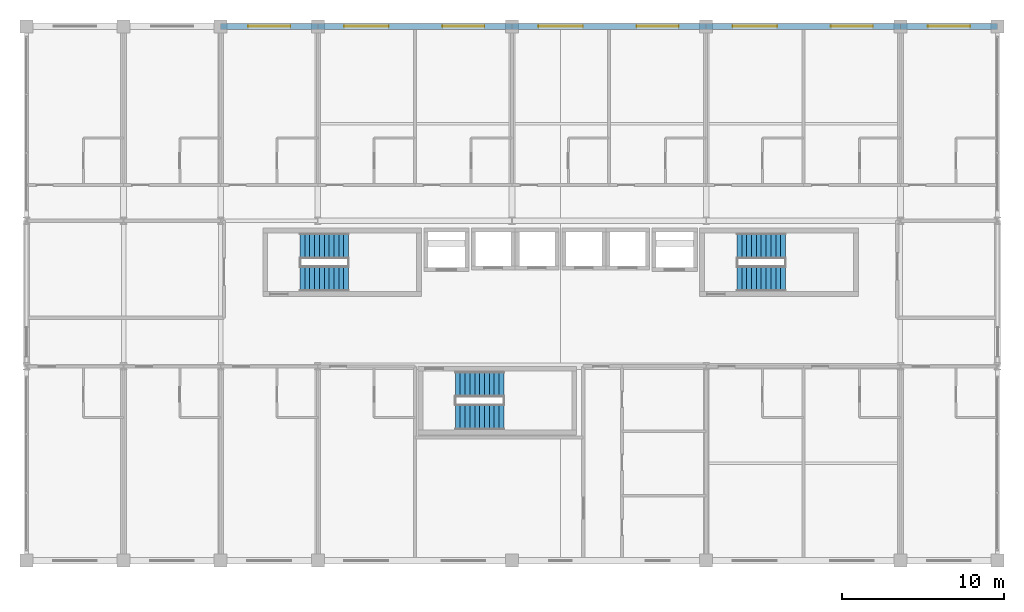
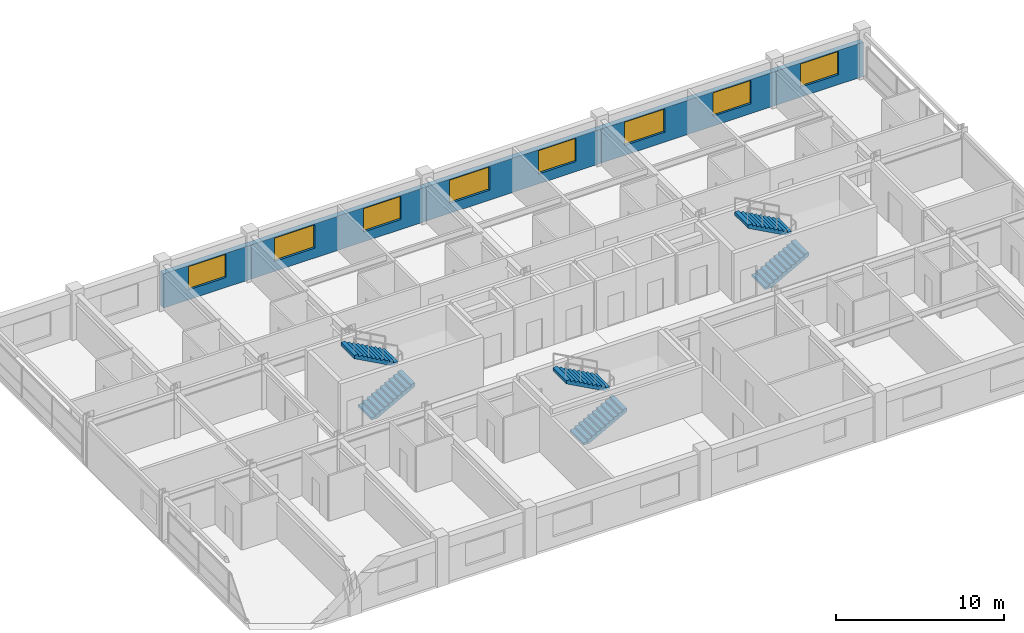
# One storey, part 25 of 26: 8 windows, 6 stair flights, 5 walls, 8 openings, 3 elements without a shape of their own.
"""IFC4 building model written with IfcOpenShell, lengths in metres."""

from ifc_helpers import new_model, si_unit, direction, frame, frame_2d, origin, place, context, subcontext, project, spatial, polyline, rectangle, outline, extrude, material, layer, layer_set, type_object, element, fill, aggregate, save


model = new_model("IFC4")

# Units and contexts
model_context = context("Model", 3, precision=1e-05, world=origin(), true_north=direction((0.0, 1.0)))
body_context = subcontext(model_context, "Body", "Model", "MODEL_VIEW")
ifc_project = project(units=[si_unit("LENGTHUNIT", "METRE"), si_unit("AREAUNIT", "SQUARE_METRE"), si_unit("VOLUMEUNIT", "CUBIC_METRE"), si_unit("PLANEANGLEUNIT", "RADIAN"), si_unit("MASSUNIT", "GRAM", prefix="KILO")], contexts=[model_context])

# Site, building, storey
site_placement = place(None, origin())
site = spatial("IfcSite", under=ifc_project, at=site_placement, CompositionType="ELEMENT")
building_placement = place(site_placement, origin())
building = spatial("IfcBuilding", under=site, at=building_placement, Name="Kaldorvane Square Convention Centre", CompositionType="ELEMENT")
storey_placement = place(building_placement, frame((0.0, 0.0, 42.0)))
storey = spatial("IfcBuildingStorey", under=building, at=storey_placement, Name="L09", CompositionType="ELEMENT", Elevation=42.0)

# Wall, opening, window
ifc_material_1 = material(Name="Concrete f'c = 42 MPa (Normalweight)", Category="concrete")
ifc_layer = layer(ifc_material_1, 0.350006103515625)
ifc_layer_set = layer_set([ifc_layer], Name="Concrete f'c = 42 MPa (Normalweight)")
wall_type = type_object("IfcWallType", Name="WL-EXT-350", PredefinedType="STANDARD", material=ifc_layer_set)
wall_1_placement = place(storey_placement, frame((42.0, 117.0, 0.0), z_axis=(0.0, 0.0, 1.0), x_axis=(-1.0, 0.0, 0.0)))
wall_1 = element("IfcWall", 1, at=wall_1_placement, inside=storey, type_object=wall_type, Name="Hotel N Brutalist Facade Wall (L09)", PredefinedType="STANDARD", context=body_context, shape_type="SweptSolid", body=[
    extrude(rectangle(XDim=6.0, YDim=0.350006103515625, at=frame_2d((3.0, 0.0))), origin(), (0.0, 0.0, 1.0), 2.485992431640625),
])
opening_1_placement = place(wall_1_placement, frame((1.6999969482421875, 0.0, 0.720001220703125)))
opening_1 = element("IfcOpeningElement", 2, at=opening_1_placement, cuts=wall_1, Name="Opening W-05", PredefinedType="OPENING", context=body_context, shape_type="SweptSolid", body=[
    extrude(rectangle(XDim=2.600006103515625, YDim=1.69000244140625, at=frame_2d((1.3000030517578125, 0.845001220703125))), frame((0.0, 0.19000244140625, 0.0), z_axis=(0.0, -1.0, 0.0), x_axis=(1.0, 0.0, 0.0)), (0.0, 0.0, 1.0), 0.3800048828125),
])
ifc_material_2 = material(Name="Anodized Aluminum and Low-E Insulated Glazing", Category="aluminium")
window_type_1 = type_object("IfcWindowType", Name="WN-HTL-2600X1700", PartitioningType="DOUBLE_PANEL_VERTICAL", PredefinedType="WINDOW", material=ifc_material_2)
window_1_placement = place(opening_1_placement, origin())
window_1 = element("IfcWindow", 3, at=window_1_placement, inside=storey, type_object=window_type_1, Name="Hotel N Window (L09)", OverallHeight=1.69000244140625, OverallWidth=2.600006103515625, PartitioningType="DOUBLE_PANEL_VERTICAL", PredefinedType="WINDOW", context=body_context, shape_type="SweptSolid", body=[
    extrude(rectangle(XDim=2.600006103515625, YDim=1.69000244140625, at=frame_2d((1.3000030517578125, 0.845001220703125))), frame((0.0, 0.029998779296875, 0.0), z_axis=(0.0, -1.0, 0.0), x_axis=(1.0, 0.0, 0.0)), (0.0, 0.0, 1.0), 0.05999755859375),
])
fill(opening_1, window_1)

# Wall, openings, windows
wall_2_placement = place(storey_placement, frame((54.0, 117.0, 0.0), z_axis=(0.0, 0.0, 1.0), x_axis=(-1.0, 0.0, 0.0)))
wall_2 = element("IfcWall", 4, at=wall_2_placement, inside=storey, type_object=wall_type, Name="Hotel N Brutalist Facade Wall (L09)", PredefinedType="STANDARD", context=body_context, shape_type="SweptSolid", body=[
    extrude(rectangle(XDim=12.0, YDim=0.350006103515625, at=frame_2d((6.0, 0.0))), origin(), (0.0, 0.0, 1.0), 2.485992431640625),
])
opening_2_placement = place(wall_2_placement, frame((1.6999969482421875, 0.0, 0.720001220703125)))
opening_2 = element("IfcOpeningElement", 5, at=opening_2_placement, cuts=wall_2, Name="Opening W-05", PredefinedType="OPENING", context=body_context, shape_type="SweptSolid", body=[
    extrude(rectangle(XDim=2.600006103515625, YDim=1.69000244140625, at=frame_2d((1.3000030517578125, 0.845001220703125))), frame((0.0, 0.19000244140625, 0.0), z_axis=(0.0, -1.0, 0.0), x_axis=(1.0, 0.0, 0.0)), (0.0, 0.0, 1.0), 0.3800048828125),
])
opening_3_placement = place(wall_2_placement, frame((7.625, 0.0, 0.720001220703125)))
opening_3 = element("IfcOpeningElement", 6, at=opening_3_placement, cuts=wall_2, Name="Opening W-06", PredefinedType="OPENING", context=body_context, shape_type="SweptSolid", body=[
    extrude(rectangle(XDim=2.75, YDim=1.69000244140625, at=frame_2d((1.375, 0.845001220703125))), frame((0.0, 0.19000244140625, 0.0), z_axis=(0.0, -1.0, 0.0), x_axis=(1.0, 0.0, 0.0)), (0.0, 0.0, 1.0), 0.3800048828125),
])
window_2_placement = place(opening_2_placement, origin())
window_2 = element("IfcWindow", 7, at=window_2_placement, inside=storey, type_object=window_type_1, Name="Hotel N Window (L09)", OverallHeight=1.69000244140625, OverallWidth=2.600006103515625, PartitioningType="DOUBLE_PANEL_VERTICAL", PredefinedType="WINDOW", context=body_context, shape_type="SweptSolid", body=[
    extrude(rectangle(XDim=2.600006103515625, YDim=1.69000244140625, at=frame_2d((1.3000030517578125, 0.845001220703125))), frame((0.0, 0.029998779296875, 0.0), z_axis=(0.0, -1.0, 0.0), x_axis=(1.0, 0.0, 0.0)), (0.0, 0.0, 1.0), 0.05999755859375),
])
fill(opening_2, window_2)
window_type_2 = type_object("IfcWindowType", Name="WN-HTL-2750X1700", PartitioningType="TRIPLE_PANEL_VERTICAL", PredefinedType="WINDOW", material=ifc_material_2)
window_3_placement = place(opening_3_placement, origin())
window_3 = element("IfcWindow", 8, at=window_3_placement, inside=storey, type_object=window_type_2, Name="Hotel N Window (L09)", OverallHeight=1.69000244140625, OverallWidth=2.75, PartitioningType="TRIPLE_PANEL_VERTICAL", PredefinedType="WINDOW", context=body_context, shape_type="SweptSolid", body=[
    extrude(rectangle(XDim=2.75, YDim=1.69000244140625, at=frame_2d((1.375, 0.845001220703125))), frame((0.0, 0.029998779296875, 0.0), z_axis=(0.0, -1.0, 0.0), x_axis=(1.0, 0.0, 0.0)), (0.0, 0.0, 1.0), 0.05999755859375),
])
fill(opening_3, window_3)

wall_3_placement = place(storey_placement, frame((66.0, 117.0, 0.0), z_axis=(0.0, 0.0, 1.0), x_axis=(-1.0, 0.0, 0.0)))
wall_3 = element("IfcWall", 9, at=wall_3_placement, inside=storey, type_object=wall_type, Name="Hotel N Brutalist Facade Wall (L09)", PredefinedType="STANDARD", context=body_context, shape_type="SweptSolid", body=[
    extrude(rectangle(XDim=12.0, YDim=0.350006103515625, at=frame_2d((6.0, 0.0))), origin(), (0.0, 0.0, 1.0), 2.485992431640625),
])
opening_4_placement = place(wall_3_placement, frame((1.6999969482421875, 0.0, 0.720001220703125)))
opening_4 = element("IfcOpeningElement", 10, at=opening_4_placement, cuts=wall_3, Name="Opening W-05", PredefinedType="OPENING", context=body_context, shape_type="SweptSolid", body=[
    extrude(rectangle(XDim=2.600006103515625, YDim=1.69000244140625, at=frame_2d((1.3000030517578125, 0.845001220703125))), frame((0.0, 0.19000244140625, 0.0), z_axis=(0.0, -1.0, 0.0), x_axis=(1.0, 0.0, 0.0)), (0.0, 0.0, 1.0), 0.3800048828125),
])
opening_5_placement = place(wall_3_placement, frame((7.625, 0.0, 0.720001220703125)))
opening_5 = element("IfcOpeningElement", 11, at=opening_5_placement, cuts=wall_3, Name="Opening W-06", PredefinedType="OPENING", context=body_context, shape_type="SweptSolid", body=[
    extrude(rectangle(XDim=2.75, YDim=1.69000244140625, at=frame_2d((1.375, 0.845001220703125))), frame((0.0, 0.19000244140625, 0.0), z_axis=(0.0, -1.0, 0.0), x_axis=(1.0, 0.0, 0.0)), (0.0, 0.0, 1.0), 0.3800048828125),
])
window_4_placement = place(opening_4_placement, origin())
window_4 = element("IfcWindow", 12, at=window_4_placement, inside=storey, type_object=window_type_1, Name="Hotel N Window (L09)", OverallHeight=1.69000244140625, OverallWidth=2.600006103515625, PartitioningType="DOUBLE_PANEL_VERTICAL", PredefinedType="WINDOW", context=body_context, shape_type="SweptSolid", body=[
    extrude(rectangle(XDim=2.600006103515625, YDim=1.69000244140625, at=frame_2d((1.3000030517578125, 0.845001220703125))), frame((0.0, 0.029998779296875, 0.0), z_axis=(0.0, -1.0, 0.0), x_axis=(1.0, 0.0, 0.0)), (0.0, 0.0, 1.0), 0.05999755859375),
])
fill(opening_4, window_4)
window_5_placement = place(opening_5_placement, origin())
window_5 = element("IfcWindow", 13, at=window_5_placement, inside=storey, type_object=window_type_2, Name="Hotel N Window (L09)", OverallHeight=1.69000244140625, OverallWidth=2.75, PartitioningType="TRIPLE_PANEL_VERTICAL", PredefinedType="WINDOW", context=body_context, shape_type="SweptSolid", body=[
    extrude(rectangle(XDim=2.75, YDim=1.69000244140625, at=frame_2d((1.375, 0.845001220703125))), frame((0.0, 0.029998779296875, 0.0), z_axis=(0.0, -1.0, 0.0), x_axis=(1.0, 0.0, 0.0)), (0.0, 0.0, 1.0), 0.05999755859375),
])
fill(opening_5, window_5)

wall_4_placement = place(storey_placement, frame((78.0, 117.0, 0.0), z_axis=(0.0, 0.0, 1.0), x_axis=(-1.0, 0.0, 0.0)))
wall_4 = element("IfcWall", 14, at=wall_4_placement, inside=storey, type_object=wall_type, Name="Hotel N Brutalist Facade Wall (L09)", PredefinedType="STANDARD", context=body_context, shape_type="SweptSolid", body=[
    extrude(rectangle(XDim=12.0, YDim=0.350006103515625, at=frame_2d((6.0, 0.0))), origin(), (0.0, 0.0, 1.0), 2.485992431640625),
])
opening_6_placement = place(wall_4_placement, frame((1.6999969482421875, 0.0, 0.720001220703125)))
opening_6 = element("IfcOpeningElement", 15, at=opening_6_placement, cuts=wall_4, Name="Opening W-05", PredefinedType="OPENING", context=body_context, shape_type="SweptSolid", body=[
    extrude(rectangle(XDim=2.600006103515625, YDim=1.69000244140625, at=frame_2d((1.3000030517578125, 0.845001220703125))), frame((0.0, 0.19000244140625, 0.0), z_axis=(0.0, -1.0, 0.0), x_axis=(1.0, 0.0, 0.0)), (0.0, 0.0, 1.0), 0.3800048828125),
])
opening_7_placement = place(wall_4_placement, frame((7.625, 0.0, 0.720001220703125)))
opening_7 = element("IfcOpeningElement", 16, at=opening_7_placement, cuts=wall_4, Name="Opening W-06", PredefinedType="OPENING", context=body_context, shape_type="SweptSolid", body=[
    extrude(rectangle(XDim=2.75, YDim=1.69000244140625, at=frame_2d((1.375, 0.845001220703125))), frame((0.0, 0.19000244140625, 0.0), z_axis=(0.0, -1.0, 0.0), x_axis=(1.0, 0.0, 0.0)), (0.0, 0.0, 1.0), 0.3800048828125),
])
window_6_placement = place(opening_6_placement, origin())
window_6 = element("IfcWindow", 17, at=window_6_placement, inside=storey, type_object=window_type_1, Name="Hotel N Window (L09)", OverallHeight=1.69000244140625, OverallWidth=2.600006103515625, PartitioningType="DOUBLE_PANEL_VERTICAL", PredefinedType="WINDOW", context=body_context, shape_type="SweptSolid", body=[
    extrude(rectangle(XDim=2.600006103515625, YDim=1.69000244140625, at=frame_2d((1.3000030517578125, 0.845001220703125))), frame((0.0, 0.029998779296875, 0.0), z_axis=(0.0, -1.0, 0.0), x_axis=(1.0, 0.0, 0.0)), (0.0, 0.0, 1.0), 0.05999755859375),
])
fill(opening_6, window_6)
window_7_placement = place(opening_7_placement, origin())
window_7 = element("IfcWindow", 18, at=window_7_placement, inside=storey, type_object=window_type_2, Name="Hotel N Window (L09)", OverallHeight=1.69000244140625, OverallWidth=2.75, PartitioningType="TRIPLE_PANEL_VERTICAL", PredefinedType="WINDOW", context=body_context, shape_type="SweptSolid", body=[
    extrude(rectangle(XDim=2.75, YDim=1.69000244140625, at=frame_2d((1.375, 0.845001220703125))), frame((0.0, 0.029998779296875, 0.0), z_axis=(0.0, -1.0, 0.0), x_axis=(1.0, 0.0, 0.0)), (0.0, 0.0, 1.0), 0.05999755859375),
])
fill(opening_7, window_7)

# Wall, opening, window
wall_5_placement = place(storey_placement, frame((84.0, 117.0, 0.0), z_axis=(0.0, 0.0, 1.0), x_axis=(-1.0, 0.0, 0.0)))
wall_5 = element("IfcWall", 19, at=wall_5_placement, inside=storey, type_object=wall_type, Name="Hotel N Brutalist Facade Wall (L09)", PredefinedType="STANDARD", context=body_context, shape_type="SweptSolid", body=[
    extrude(rectangle(XDim=6.0, YDim=0.350006103515625, at=frame_2d((3.0, 0.0))), origin(), (0.0, 0.0, 1.0), 2.485992431640625),
])
opening_8_placement = place(wall_5_placement, frame((1.6999969482421875, 0.0, 0.720001220703125)))
opening_8 = element("IfcOpeningElement", 20, at=opening_8_placement, cuts=wall_5, Name="Opening W-05", PredefinedType="OPENING", context=body_context, shape_type="SweptSolid", body=[
    extrude(rectangle(XDim=2.600006103515625, YDim=1.69000244140625, at=frame_2d((1.3000030517578125, 0.845001220703125))), frame((0.0, 0.19000244140625, 0.0), z_axis=(0.0, -1.0, 0.0), x_axis=(1.0, 0.0, 0.0)), (0.0, 0.0, 1.0), 0.3800048828125),
])
window_8_placement = place(opening_8_placement, origin())
window_8 = element("IfcWindow", 21, at=window_8_placement, inside=storey, type_object=window_type_1, Name="Hotel N Window (L09)", OverallHeight=1.69000244140625, OverallWidth=2.600006103515625, PartitioningType="DOUBLE_PANEL_VERTICAL", PredefinedType="WINDOW", context=body_context, shape_type="SweptSolid", body=[
    extrude(rectangle(XDim=2.600006103515625, YDim=1.69000244140625, at=frame_2d((1.3000030517578125, 0.845001220703125))), frame((0.0, 0.029998779296875, 0.0), z_axis=(0.0, -1.0, 0.0), x_axis=(1.0, 0.0, 0.0)), (0.0, 0.0, 1.0), 0.05999755859375),
])
fill(opening_8, window_8)

# Stair, stair flights
stair_type = type_object("IfcStairType", Name="ST-DL-1600-3600", PredefinedType="HALF_TURN_STAIR", material=ifc_material_1)
stair_1_placement = place(storey_placement, origin())
stair_1 = element("IfcStair", 22, at=stair_1_placement, inside=storey, type_object=stair_type, Name="Tower Exit Stair T1 (L09)", PredefinedType="HALF_TURN_STAIR")
stair_flight_type = type_object("IfcStairFlightType", Name="SF-STR-1600-11R", PredefinedType="STRAIGHT", material=ifc_material_1)
stair_flight_1_placement = place(storey_placement, frame((40.899993896484375, 101.41000366210938, 0.0), z_axis=(0.0, 0.0, 1.0), x_axis=(1.0, 0.0, 0.0)))
stair_flight_1 = element("IfcStairFlight", 23, at=stair_flight_1_placement, type_object=stair_flight_type, Name="Tower Exit Stair T1 Flight 1 (L09)", NumberOfRisers=11, NumberOfTreads=10, PredefinedType="STRAIGHT", RiserHeight=0.163636364, TreadLength=0.3, context=body_context, shape_type="SweptSolid", body=[
    extrude(outline(polyline([(0.0, 0.0), (0.0, 0.16363525390625), (0.3000030517578125, 0.16363525390625), (0.3000030517578125, 0.3272705078125), (0.600006103515625, 0.3272705078125), (0.600006103515625, 0.49090576171875), (0.899993896484375, 0.49090576171875), (0.899993896484375, 0.654541015625), (1.1999969482421875, 0.654541015625), (1.1999969482421875, 0.81817626953125), (1.5, 0.81817626953125), (1.5, 0.9818115234375), (1.8000030517578125, 0.9818115234375), (1.8000030517578125, 1.1454620361328125), (2.100006103515625, 1.1454620361328125), (2.100006103515625, 1.3090972900390625), (2.399993896484375, 1.3090972900390625), (2.399993896484375, 1.4727325439453125), (2.6999969482421875, 1.4727325439453125), (2.6999969482421875, 1.6363677978515625), (3.0, 1.6363677978515625), (3.0, 1.8000030517578125), (3.0, 1.4085540771484375), (0.41766357421875, 0.0), (0.0, 0.0)])), frame((0.0, 0.8000030517578125, 0.0), z_axis=(0.0, -1.0, 0.0), x_axis=(1.0, 0.0, 0.0)), (0.0, 0.0, 1.0), 1.600006103515625),
])
stair_flight_2_placement = place(storey_placement, frame((43.899993896484375, 103.44999694824219, 1.8000030517578125), z_axis=(0.0, 0.0, 1.0), x_axis=(-1.0, 0.0, 0.0)))
stair_flight_2 = element("IfcStairFlight", 24, at=stair_flight_2_placement, type_object=stair_flight_type, Name="Tower Exit Stair T1 Flight 2 (L09)", NumberOfRisers=11, NumberOfTreads=10, PredefinedType="STRAIGHT", RiserHeight=0.163636364, TreadLength=0.3, context=body_context, shape_type="SweptSolid", body=[
    extrude(outline(polyline([(0.0, 0.0), (0.0, 0.16363525390625), (0.3000030517578125, 0.16363525390625), (0.3000030517578125, 0.3272705078125), (0.600006103515625, 0.3272705078125), (0.600006103515625, 0.49090576171875), (0.899993896484375, 0.49090576171875), (0.899993896484375, 0.654541015625), (1.1999969482421875, 0.654541015625), (1.1999969482421875, 0.81817626953125), (1.5, 0.81817626953125), (1.5, 0.9818115234375), (1.8000030517578125, 0.9818115234375), (1.8000030517578125, 1.1454620361328125), (2.100006103515625, 1.1454620361328125), (2.100006103515625, 1.3090972900390625), (2.399993896484375, 1.3090972900390625), (2.399993896484375, 1.4727325439453125), (2.6999969482421875, 1.4727325439453125), (2.6999969482421875, 1.6363677978515625), (3.0, 1.6363677978515625), (3.0, 1.8000030517578125), (3.0, 1.4085540771484375), (0.41766357421875, 0.0), (0.0, 0.0)])), frame((0.0, 0.8000030517578125, 0.0), z_axis=(0.0, -1.0, 0.0), x_axis=(1.0, 0.0, 0.0)), (0.0, 0.0, 1.0), 1.600006103515625),
])
aggregate(stair_1, [stair_flight_1, stair_flight_2])

stair_2_placement = place(storey_placement, origin())
stair_2 = element("IfcStair", 25, at=stair_2_placement, inside=storey, type_object=stair_type, Name="Tower Exit Stair T2 (L09)", PredefinedType="HALF_TURN_STAIR")
stair_flight_3_placement = place(storey_placement, frame((67.89999389648438, 101.41000366210938, 0.0), z_axis=(0.0, 0.0, 1.0), x_axis=(1.0, 0.0, 0.0)))
stair_flight_3 = element("IfcStairFlight", 26, at=stair_flight_3_placement, type_object=stair_flight_type, Name="Tower Exit Stair T2 Flight 1 (L09)", NumberOfRisers=11, NumberOfTreads=10, PredefinedType="STRAIGHT", RiserHeight=0.163636364, TreadLength=0.3, context=body_context, shape_type="SweptSolid", body=[
    extrude(outline(polyline([(0.0, 0.0), (0.0, 0.16363525390625), (0.3000030517578125, 0.16363525390625), (0.3000030517578125, 0.3272705078125), (0.600006103515625, 0.3272705078125), (0.600006103515625, 0.49090576171875), (0.899993896484375, 0.49090576171875), (0.899993896484375, 0.654541015625), (1.1999969482421875, 0.654541015625), (1.1999969482421875, 0.81817626953125), (1.5, 0.81817626953125), (1.5, 0.9818115234375), (1.8000030517578125, 0.9818115234375), (1.8000030517578125, 1.1454620361328125), (2.100006103515625, 1.1454620361328125), (2.100006103515625, 1.3090972900390625), (2.399993896484375, 1.3090972900390625), (2.399993896484375, 1.4727325439453125), (2.6999969482421875, 1.4727325439453125), (2.6999969482421875, 1.6363677978515625), (3.0, 1.6363677978515625), (3.0, 1.8000030517578125), (3.0, 1.4085540771484375), (0.41766357421875, 0.0), (0.0, 0.0)])), frame((0.0, 0.8000030517578125, 0.0), z_axis=(0.0, -1.0, 0.0), x_axis=(1.0, 0.0, 0.0)), (0.0, 0.0, 1.0), 1.600006103515625),
])
stair_flight_4_placement = place(storey_placement, frame((70.89999389648438, 103.44999694824219, 1.8000030517578125), z_axis=(0.0, 0.0, 1.0), x_axis=(-1.0, 0.0, 0.0)))
stair_flight_4 = element("IfcStairFlight", 27, at=stair_flight_4_placement, type_object=stair_flight_type, Name="Tower Exit Stair T2 Flight 2 (L09)", NumberOfRisers=11, NumberOfTreads=10, PredefinedType="STRAIGHT", RiserHeight=0.163636364, TreadLength=0.3, context=body_context, shape_type="SweptSolid", body=[
    extrude(outline(polyline([(0.0, 0.0), (0.0, 0.16363525390625), (0.3000030517578125, 0.16363525390625), (0.3000030517578125, 0.3272705078125), (0.600006103515625, 0.3272705078125), (0.600006103515625, 0.49090576171875), (0.899993896484375, 0.49090576171875), (0.899993896484375, 0.654541015625), (1.1999969482421875, 0.654541015625), (1.1999969482421875, 0.81817626953125), (1.5, 0.81817626953125), (1.5, 0.9818115234375), (1.8000030517578125, 0.9818115234375), (1.8000030517578125, 1.1454620361328125), (2.100006103515625, 1.1454620361328125), (2.100006103515625, 1.3090972900390625), (2.399993896484375, 1.3090972900390625), (2.399993896484375, 1.4727325439453125), (2.6999969482421875, 1.4727325439453125), (2.6999969482421875, 1.6363677978515625), (3.0, 1.6363677978515625), (3.0, 1.8000030517578125), (3.0, 1.4085540771484375), (0.41766357421875, 0.0), (0.0, 0.0)])), frame((0.0, 0.8000030517578125, 0.0), z_axis=(0.0, -1.0, 0.0), x_axis=(1.0, 0.0, 0.0)), (0.0, 0.0, 1.0), 1.600006103515625),
])
aggregate(stair_2, [stair_flight_3, stair_flight_4])

stair_3_placement = place(storey_placement, origin())
stair_3 = element("IfcStair", 28, at=stair_3_placement, inside=storey, type_object=stair_type, Name="Tower Exit Stair T3 (L09)", PredefinedType="HALF_TURN_STAIR")
stair_flight_5_placement = place(storey_placement, frame((50.5, 92.86000061035156, 0.0), z_axis=(0.0, 0.0, 1.0), x_axis=(1.0, 0.0, 0.0)))
stair_flight_5 = element("IfcStairFlight", 29, at=stair_flight_5_placement, type_object=stair_flight_type, Name="Tower Exit Stair T3 Flight 1 (L09)", NumberOfRisers=11, NumberOfTreads=10, PredefinedType="STRAIGHT", RiserHeight=0.163636364, TreadLength=0.3, context=body_context, shape_type="SweptSolid", body=[
    extrude(outline(polyline([(0.0, 0.0), (0.0, 0.16363525390625), (0.3000030517578125, 0.16363525390625), (0.3000030517578125, 0.3272705078125), (0.600006103515625, 0.3272705078125), (0.600006103515625, 0.49090576171875), (0.899993896484375, 0.49090576171875), (0.899993896484375, 0.654541015625), (1.1999969482421875, 0.654541015625), (1.1999969482421875, 0.81817626953125), (1.5, 0.81817626953125), (1.5, 0.9818115234375), (1.8000030517578125, 0.9818115234375), (1.8000030517578125, 1.1454620361328125), (2.100006103515625, 1.1454620361328125), (2.100006103515625, 1.3090972900390625), (2.399993896484375, 1.3090972900390625), (2.399993896484375, 1.4727325439453125), (2.6999969482421875, 1.4727325439453125), (2.6999969482421875, 1.6363677978515625), (3.0, 1.6363677978515625), (3.0, 1.8000030517578125), (3.0, 1.4085540771484375), (0.41766357421875, 0.0), (0.0, 0.0)])), frame((0.0, 0.8000030517578125, 0.0), z_axis=(0.0, -1.0, 0.0), x_axis=(1.0, 0.0, 0.0)), (0.0, 0.0, 1.0), 1.600006103515625),
])
stair_flight_6_placement = place(storey_placement, frame((53.5, 94.89999389648438, 1.8000030517578125), z_axis=(0.0, 0.0, 1.0), x_axis=(-1.0, 0.0, 0.0)))
stair_flight_6 = element("IfcStairFlight", 30, at=stair_flight_6_placement, type_object=stair_flight_type, Name="Tower Exit Stair T3 Flight 2 (L09)", NumberOfRisers=11, NumberOfTreads=10, PredefinedType="STRAIGHT", RiserHeight=0.163636364, TreadLength=0.3, context=body_context, shape_type="SweptSolid", body=[
    extrude(outline(polyline([(0.0, 0.0), (0.0, 0.16363525390625), (0.3000030517578125, 0.16363525390625), (0.3000030517578125, 0.3272705078125), (0.600006103515625, 0.3272705078125), (0.600006103515625, 0.49090576171875), (0.899993896484375, 0.49090576171875), (0.899993896484375, 0.654541015625), (1.1999969482421875, 0.654541015625), (1.1999969482421875, 0.81817626953125), (1.5, 0.81817626953125), (1.5, 0.9818115234375), (1.8000030517578125, 0.9818115234375), (1.8000030517578125, 1.1454620361328125), (2.100006103515625, 1.1454620361328125), (2.100006103515625, 1.3090972900390625), (2.399993896484375, 1.3090972900390625), (2.399993896484375, 1.4727325439453125), (2.6999969482421875, 1.4727325439453125), (2.6999969482421875, 1.6363677978515625), (3.0, 1.6363677978515625), (3.0, 1.8000030517578125), (3.0, 1.4085540771484375), (0.41766357421875, 0.0), (0.0, 0.0)])), frame((0.0, 0.8000030517578125, 0.0), z_axis=(0.0, -1.0, 0.0), x_axis=(1.0, 0.0, 0.0)), (0.0, 0.0, 1.0), 1.600006103515625),
])
aggregate(stair_3, [stair_flight_5, stair_flight_6])

save(model, "model.ifc")
